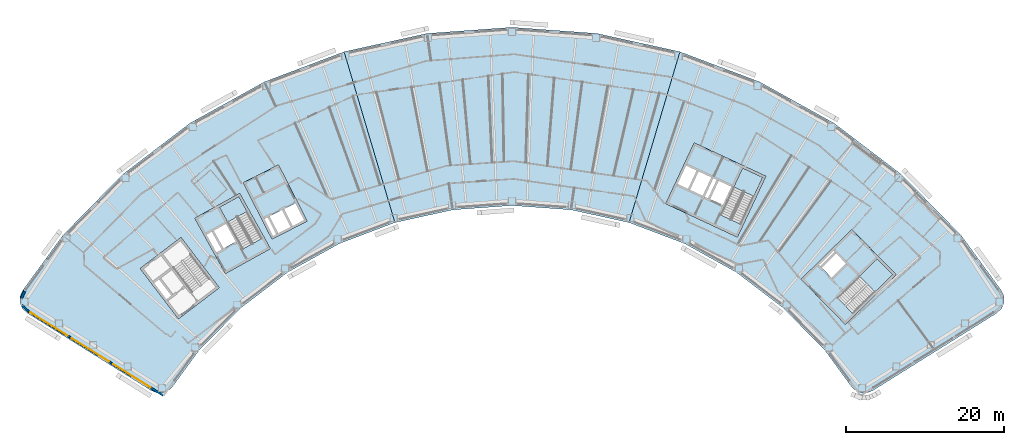
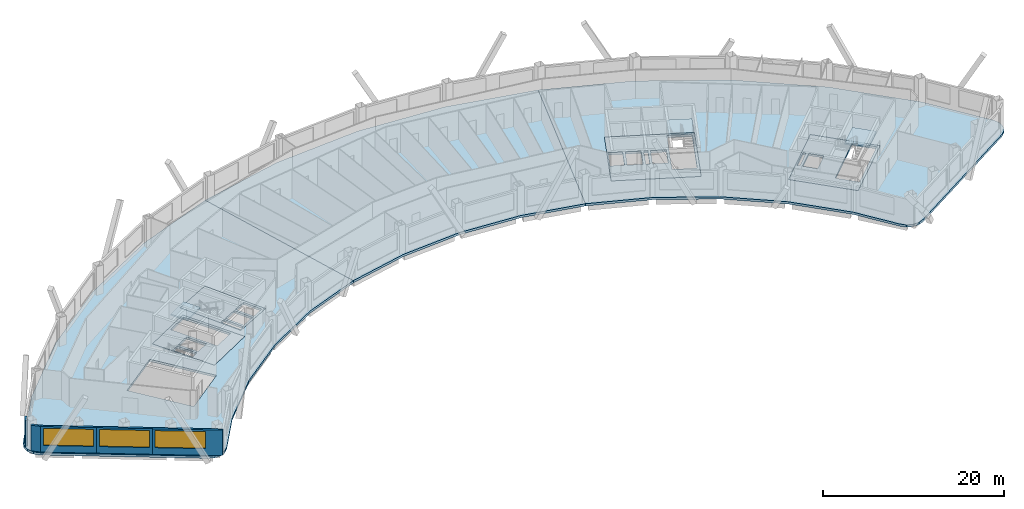
# One storey, part 4 of 15: 10 slabs, 5 walls, 3 windows, 3 openings, 3 elements without a shape of their own.
"""IFC4 building model written with IfcOpenShell, lengths in metres."""

import ifcopenshell
import ifcopenshell.guid

model = None  # the IFC model being written
_history = None  # IfcOwnerHistory: only IFC2X3 demands one
_inside = {}  # id of a spatial element -> (the spatial element, [elements in it])
_under = {}  # id of a project, library or spatial element -> (it, [spatial elements below it])
_declared = {}  # id of a project -> (the project, [libraries it declares])
_typed = {}  # id of a type object -> (the type object, [elements of that type])
_made_of = {}  # id of a material, layer set ... -> (it, [elements and type objects made of it])


def new_model(schema):
    """Start an empty IFC model of exactly this schema.

    Asked for "IFC4X3", IfcOpenShell would pick the latest addendum, in which some entities
    have other attributes; the version numbers below select the first issue.
    IFC2X3 requires an IfcOwnerHistory on every rooted entity: one is made here for all.
    """
    global model, _history
    if schema == "IFC4X3":
        model = ifcopenshell.file(schema_version=(4, 3, 0, 0))
    else:
        model = ifcopenshell.file(schema=schema)
    _inside.clear()
    _under.clear()
    _declared.clear()
    _typed.clear()
    _made_of.clear()
    _history = None
    if model.schema == "IFC2X3":
        org = make("IfcOrganization", Name="unknown")
        user = make(
            "IfcPersonAndOrganization",
            ThePerson=make("IfcPerson", FamilyName="unknown"),
            TheOrganization=org,
        )
        app = make(
            "IfcApplication",
            ApplicationDeveloper=org,
            Version="unknown",
            ApplicationFullName="unknown",
            ApplicationIdentifier="unknown",
        )
        _history = make(
            "IfcOwnerHistory",
            OwningUser=user,
            OwningApplication=app,
            ChangeAction="ADDED",
            CreationDate=0,
        )
    return model


def make(cls, **values):
    """One entity of the class cls with the attributes given. An attribute that is None is left unset."""
    return model.create_entity(
        cls, **{name: value for name, value in values.items() if value is not None}
    )


def rooted(cls, **values):
    """An entity with a GlobalId (a new one), such as an element, a storey or a relation."""
    return make(cls, GlobalId=ifcopenshell.guid.new(), OwnerHistory=_history, **values)


def si_unit(unit_type, name, prefix=None):
    """IfcSIUnit, for example si_unit("LENGTHUNIT", "METRE", prefix="MILLI")."""
    return make("IfcSIUnit", UnitType=unit_type, Prefix=prefix, Name=name)


def assignment(units):
    """IfcUnitAssignment: the units of a project."""
    return None if units is None else make("IfcUnitAssignment", Units=units)


def point(xyz):
    """IfcCartesianPoint."""
    return None if xyz is None else make("IfcCartesianPoint", Coordinates=xyz)


def direction(xyz):
    """IfcDirection."""
    return None if xyz is None else make("IfcDirection", DirectionRatios=xyz)


def frame(location, z_axis=None, x_axis=None):
    """IfcAxis2Placement3D, a coordinate frame: its origin and axes. An axis left out is left unset."""
    return make(
        "IfcAxis2Placement3D",
        Location=point(location),
        Axis=direction(z_axis),
        RefDirection=direction(x_axis),
    )


def frame_2d(location, x_axis=None):
    """IfcAxis2Placement2D, a coordinate frame in the plane: its origin and x axis."""
    return make(
        "IfcAxis2Placement2D", Location=point(location), RefDirection=direction(x_axis)
    )


def origin():
    """The frame at (0, 0, 0) with its axes left unset."""
    return frame((0.0, 0.0, 0.0))


def place(relative_to, where):
    """IfcLocalPlacement: puts the frame where relative to a parent placement (None: the world)."""
    return make(
        "IfcLocalPlacement", PlacementRelTo=relative_to, RelativePlacement=where
    )


def context(
    kind, dimensions, precision=None, world=None, true_north=None, identifier=None
):
    """IfcGeometricRepresentationContext, for example the 3D "Model" context."""
    return make(
        "IfcGeometricRepresentationContext",
        ContextIdentifier=identifier,
        ContextType=kind,
        CoordinateSpaceDimension=dimensions,
        Precision=precision,
        WorldCoordinateSystem=world,
        TrueNorth=true_north,
    )


def subcontext(parent, identifier, kind, view, scale=None):
    """IfcGeometricRepresentationSubContext, for example "Body" below "Model"."""
    return make(
        "IfcGeometricRepresentationSubContext",
        ContextIdentifier=identifier,
        ContextType=kind,
        ParentContext=parent,
        TargetScale=scale,
        TargetView=view,
    )


def project(units=None, contexts=None):
    """IfcProject with its units and contexts."""
    return rooted(
        "IfcProject",
        Name="project",
        RepresentationContexts=contexts,
        UnitsInContext=assignment(units),
    )


def spatial(cls, under=None, at=None, **own):
    """A site, building, storey or space (cls), placed at a placement, below another one or the project."""
    s = rooted(cls, ObjectPlacement=at, **own)
    if under is not None:
        _under.setdefault(under.id(), (under, []))[1].append(s)
    return s


def polyline(points):
    """IfcPolyline through the points."""
    return make("IfcPolyline", Points=[point(p) for p in points])


def profile(cls, at=None, kind="AREA", **sizes):
    """A parametric profile (cls). Its sizes go by their IFC names, for example OverallWidth=200.0."""
    return make(cls, ProfileType=kind, Position=at, **sizes)


def rectangle(**sizes):
    """IfcRectangleProfileDef."""
    return profile("IfcRectangleProfileDef", **sizes)


def outline(outer, holes=None, kind="AREA"):
    """IfcArbitraryClosedProfileDef: a profile drawn as a closed curve; with holes, ...WithVoids."""
    if holes is None:
        return make("IfcArbitraryClosedProfileDef", ProfileType=kind, OuterCurve=outer)
    return make(
        "IfcArbitraryProfileDefWithVoids",
        ProfileType=kind,
        OuterCurve=outer,
        InnerCurves=holes,
    )


def extrude(swept, where, along, depth):
    """IfcExtrudedAreaSolid: the profile swept, set in the frame where, extruded along a direction by depth."""
    return make(
        "IfcExtrudedAreaSolid",
        SweptArea=swept,
        Position=where,
        ExtrudedDirection=direction(along),
        Depth=depth,
    )


def shape(context_of_items, identifier, shape_type, items):
    """IfcShapeRepresentation: the items that make up one representation, for example the "Body"."""
    return make(
        "IfcShapeRepresentation",
        ContextOfItems=context_of_items,
        RepresentationIdentifier=identifier,
        RepresentationType=shape_type,
        Items=items,
    )


def material(Name=None, Category=None):
    """IfcMaterial."""
    return make("IfcMaterial", Name=Name, Category=Category)


def layer(
    of_material, thickness, ventilated=None, Name=None, Category=None, Priority=None
):
    """IfcMaterialLayer: one layer of a wall or slab, of a material (None: an air gap)."""
    return make(
        "IfcMaterialLayer",
        Material=of_material,
        LayerThickness=thickness,
        IsVentilated=ventilated,
        Name=Name,
        Category=Category,
        Priority=Priority,
    )


def layer_set(layers, Name=None):
    """IfcMaterialLayerSet."""
    return make("IfcMaterialLayerSet", MaterialLayers=layers, LayerSetName=Name)


def made_of(thing, what):
    """Note that an element or type object is made of a material, layer set ...; save() writes the relation."""
    if what is not None:
        _made_of.setdefault(what.id(), (what, []))[1].append(thing)
    return thing


def type_object(cls, material=None, **own):
    """A type object (cls), such as IfcWallType, which elements share."""
    return made_of(rooted(cls, **own), material)


def element(
    cls,
    number,
    at=None,
    inside=None,
    cuts=None,
    type_object=None,
    material=None,
    context=None,
    identifier="Body",
    shape_type=None,
    held_by="IfcProductDefinitionShape",
    body=None,
    shapes=None,
    **own,
):
    """One element of the class cls, such as IfcWall. Its Tag is "e" and its number.

    at: its placement. inside: the storey or other place that contains it. cuts: it is an
    opening in that element (IfcRelVoidsElement). A single representation is given by context,
    identifier, shape_type and body (its items); several are given by shapes. held_by: the class
    of the entity that holds the representations. save() writes the other relations.
    """
    e = rooted(cls, Tag="e%d" % number, ObjectPlacement=at, **own)
    if body is not None:
        shapes = [shape(context, identifier, shape_type, body)]
    if shapes is not None:
        e.Representation = make(held_by, Representations=shapes)
    if inside is not None:
        _inside.setdefault(inside.id(), (inside, []))[1].append(e)
    if cuts is not None:
        rooted(
            "IfcRelVoidsElement", RelatingBuildingElement=cuts, RelatedOpeningElement=e
        )
    if type_object is not None:
        _typed.setdefault(type_object.id(), (type_object, []))[1].append(e)
    return made_of(e, material)


def fill(opening, filler):
    """IfcRelFillsElement: the door or window that sits in an opening."""
    return rooted(
        "IfcRelFillsElement",
        RelatingOpeningElement=opening,
        RelatedBuildingElement=filler,
    )


def aggregate(whole, parts):
    """IfcRelAggregates: a whole, such as a stair, and the parts it consists of."""
    return rooted("IfcRelAggregates", RelatingObject=whole, RelatedObjects=parts)


def save(model, path):
    """Write the relations noted so far, then the file.

    IfcRelAggregates (storeys below a building ...), IfcRelContainedInSpatialStructure (elements
    in a storey), IfcRelDefinesByType, IfcRelAssociatesMaterial and IfcRelDeclares: one each for
    every whole, place, type object, material and project.
    """
    for whole, parts in _under.values():
        aggregate(whole, parts)
    for where, things in _inside.values():
        rooted(
            "IfcRelContainedInSpatialStructure",
            RelatedElements=things,
            RelatingStructure=where,
        )
    for kind, things in _typed.values():
        rooted("IfcRelDefinesByType", RelatedObjects=things, RelatingType=kind)
    for what, things in _made_of.values():
        rooted("IfcRelAssociatesMaterial", RelatedObjects=things, RelatingMaterial=what)
    for by, libraries in _declared.values():
        rooted("IfcRelDeclares", RelatingContext=by, RelatedDefinitions=libraries)
    model.write(path)


model = new_model("IFC4")

# Units and contexts
model_context = context("Model", 3, precision=1e-05, world=origin(), true_north=direction((0.0, 1.0)))
body_context = subcontext(model_context, "Body", "Model", "MODEL_VIEW")
ifc_project = project(units=[si_unit("LENGTHUNIT", "METRE"), si_unit("AREAUNIT", "SQUARE_METRE"), si_unit("VOLUMEUNIT", "CUBIC_METRE"), si_unit("PLANEANGLEUNIT", "RADIAN"), si_unit("MASSUNIT", "GRAM", prefix="KILO")], contexts=[model_context])

# Site, building, storey
site_placement = place(None, origin())
site = spatial("IfcSite", under=ifc_project, at=site_placement, CompositionType="ELEMENT")
building_placement = place(site_placement, origin())
building = spatial("IfcBuilding", under=site, at=building_placement, Name="Tuul Gate Civic Tower", CompositionType="ELEMENT")
storey_placement = place(building_placement, frame((0.0, 0.0, 226.300048828125)))
storey = spatial("IfcBuildingStorey", under=building, at=storey_placement, Name="Level 51", CompositionType="ELEMENT", Elevation=226.300048828125)

# Slabs
ifc_material_1 = material(Name="Concrete C40/50", Category="concrete")
ifc_layer_1 = layer(ifc_material_1, 0.300048828125)
ifc_layer_set_1 = layer_set([ifc_layer_1], Name="Concrete C40/50")
slab_type_1 = type_object("IfcSlabType", Name="Core floor slab 300", PredefinedType="FLOOR", material=ifc_layer_set_1)
slab_1_placement = place(storey_placement, frame((0.0, 0.0, -0.300048828125)))
element("IfcSlab", 1, at=slab_1_placement, inside=storey, type_object=slab_type_1, Name="FLOOR SLAB", PredefinedType="FLOOR", context=body_context, shape_type="SweptSolid", body=[
    extrude(outline(polyline([(-24.638916015625, -8.846923828125), (-28.51708984375, -1.849853515625), (-34.2021484375, -5.0009765625), (-30.32421875, -11.998046875), (-24.638916015625, -8.846923828125)]), holes=[polyline([(-29.0185546875, -7.958740234375), (-30.254638671875, -5.728515625), (-31.785400390625, -6.576904296875), (-30.54931640625, -8.80712890625), (-29.0185546875, -7.958740234375)]), polyline([(-30.8115234375, -8.95263671875), (-32.047607421875, -6.72216796875), (-32.8349609375, -7.158447265625), (-31.5986328125, -9.388916015625), (-30.8115234375, -8.95263671875)]), polyline([(-25.702392578125, -7.548828125), (-28.14990234375, -8.905517578125), (-31.08203125, -3.615234375), (-28.63427734375, -2.2587890625), (-25.702392578125, -7.548828125)])]), origin(), (0.0, 0.0, 1.0), 0.300048828125),
])
slab_2_placement = place(storey_placement, frame((0.0, 0.0, -0.300048828125)))
element("IfcSlab", 2, at=slab_2_placement, inside=storey, type_object=slab_type_1, Name="FLOOR SLAB", PredefinedType="FLOOR", context=body_context, shape_type="SweptSolid", body=[
    extrude(outline(polyline([(48.117919921875, -18.43310546875), (54.545166015625, -12.1328125), (48.945068359375, -6.419921875), (42.517822265625, -12.719970703125), (48.117919921875, -18.43310546875)]), holes=[polyline([(46.373779296875, -12.510986328125), (48.19482421875, -10.725830078125), (46.969970703125, -9.47607421875), (45.14892578125, -11.26123046875), (46.373779296875, -12.510986328125)]), polyline([(44.93896484375, -11.046875), (46.760009765625, -9.261962890625), (46.514892578125, -9.011962890625), (44.69384765625, -10.797119140625), (44.93896484375, -11.046875)]), polyline([(49.086181640625, -17.062744140625), (47.12744140625, -15.064208984375), (52.160888671875, -10.130126953125), (54.11962890625, -12.128662109375), (49.086181640625, -17.062744140625)])]), origin(), (0.0, 0.0, 1.0), 0.300048828125),
])
slab_3_placement = place(storey_placement, frame((0.0, 0.0, -0.300048828125)))
element("IfcSlab", 3, at=slab_3_placement, inside=storey, type_object=slab_type_1, Name="FLOOR SLAB", PredefinedType="FLOOR", context=body_context, shape_type="SweptSolid", body=[
    extrude(outline(polyline([(34.465087890625, -7.385986328125), (38.056884765625, 0.31787109375), (28.993896484375, 4.543701171875), (25.40185546875, -3.159912109375), (34.465087890625, -7.385986328125)]), holes=[polyline([(32.60888671875, -3.32080078125), (33.6865234375, -1.009765625), (32.1005859375, -0.27001953125), (31.02294921875, -2.581298828125), (32.60888671875, -3.32080078125)]), polyline([(30.0712890625, -2.137451171875), (31.14892578125, 0.173583984375), (29.562744140625, 0.9130859375), (28.4853515625, -1.39794921875), (30.0712890625, -2.137451171875)]), polyline([(30.751220703125, -2.454345703125), (31.82861328125, -0.143310546875), (31.4208984375, 0.046875), (30.34326171875, -2.264404296875), (30.751220703125, -2.454345703125)]), polyline([(28.21337890625, -1.27099609375), (29.291015625, 1.0400390625), (27.8408203125, 1.71630859375), (26.76318359375, -0.594970703125), (28.21337890625, -1.27099609375)]), polyline([(34.889892578125, -5.7626953125), (32.353759765625, -4.580078125), (35.120849609375, 1.354736328125), (37.6572265625, 0.17236328125), (34.889892578125, -5.7626953125)])]), origin(), (0.0, 0.0, 1.0), 0.300048828125),
])
ifc_material_2 = material(Name="Concrete C40/50", Category="concrete")
ifc_layer_2 = layer(ifc_material_2, 0.300048828125)
ifc_layer_set_2 = layer_set([ifc_layer_2], Name="Concrete C40/50")
slab_type_2 = type_object("IfcSlabType", Name="Core floor slab 300 non-bearing", PredefinedType="FLOOR", material=ifc_layer_set_2)
slab_4_placement = place(storey_placement, frame((0.0, 0.0, -0.300048828125)))
element("IfcSlab", 4, at=slab_4_placement, inside=storey, type_object=slab_type_2, Name="FLOOR SLAB", PredefinedType="FLOOR", context=body_context, shape_type="SweptSolid", body=[
    extrude(outline(polyline([(-19.98095703125, -5.365966796875), (-23.613037109375, 1.761962890625), (-28.068115234375, -0.508056640625), (-24.43603515625, -7.635986328125), (-19.98095703125, -5.365966796875)]), holes=[polyline([(-20.384521484375, -5.23486328125), (-21.47412109375, -3.096435546875), (-22.899658203125, -3.822998046875), (-21.81005859375, -5.961181640625), (-20.384521484375, -5.23486328125)]), polyline([(-22.077392578125, -6.097412109375), (-23.1669921875, -3.958984375), (-24.726318359375, -4.753662109375), (-23.63671875, -6.89208984375), (-22.077392578125, -6.097412109375)]), polyline([(-23.8359375, -7.161865234375), (-24.99365234375, -4.889892578125), (-25.5283203125, -5.162109375), (-24.37060546875, -7.434326171875), (-23.8359375, -7.161865234375)])]), origin(), (0.0, 0.0, 1.0), 0.300048828125),
])

# Stair, slab
ifc_material_3 = material(Name="Concrete C40/50", Category="concrete")
stair_type = type_object("IfcStairType", Name="Exit stair", PredefinedType="HALF_TURN_STAIR", material=ifc_material_3)
stair_1_placement = place(storey_placement, origin())
stair_1 = element("IfcStair", 5, at=stair_1_placement, inside=storey, type_object=stair_type, Name="Level 51 ST-2", PredefinedType="HALF_TURN_STAIR")
ifc_material_4 = material(Name="Concrete C40/50", Category="concrete")
ifc_layer_3 = layer(ifc_material_4, 0.199951171875)
ifc_layer_set_3 = layer_set([ifc_layer_3], Name="Concrete C40/50")
slab_type_3 = type_object("IfcSlabType", Name="Exit stair landing", PredefinedType="LANDING", material=ifc_layer_set_3)
slab_5_placement = place(storey_placement, frame((0.0, 0.0, 1.89990234375)))
slab_5 = element("IfcSlab", 6, at=slab_5_placement, type_object=slab_type_3, Name="ST-2 landing 1", PredefinedType="LANDING", context=body_context, shape_type="SweptSolid", body=[
    extrude(outline(polyline([(-27.5908203125, -4.138427734375), (-30.041015625, -5.49658203125), (-31.084228515625, -3.61474609375), (-28.6337890625, -2.256591796875), (-27.5908203125, -4.138427734375)])), origin(), (0.0, 0.0, 1.0), 0.199951171875),
])
aggregate(stair_1, [slab_5])

stair_2_placement = place(storey_placement, origin())
stair_2 = element("IfcStair", 7, at=stair_2_placement, inside=storey, type_object=stair_type, Name="Level 51 ST-3", PredefinedType="HALF_TURN_STAIR")
slab_6_placement = place(storey_placement, frame((0.0, 0.0, 1.89990234375)))
slab_6 = element("IfcSlab", 8, at=slab_6_placement, type_object=slab_type_3, Name="ST-3 landing 1", PredefinedType="LANDING", context=body_context, shape_type="SweptSolid", body=[
    extrude(outline(polyline([(51.871337890625, -14.3349609375), (49.91015625, -12.334228515625), (52.160888671875, -10.1279296875), (54.1220703125, -12.128662109375), (51.871337890625, -14.3349609375)])), origin(), (0.0, 0.0, 1.0), 0.199951171875),
])
aggregate(stair_2, [slab_6])

stair_3_placement = place(storey_placement, origin())
stair_3 = element("IfcStair", 9, at=stair_3_placement, inside=storey, type_object=stair_type, Name="Level 51 ST-4", PredefinedType="HALF_TURN_STAIR")
slab_7_placement = place(storey_placement, frame((0.0, 0.0, 1.89990234375)))
slab_7 = element("IfcSlab", 10, at=slab_7_placement, type_object=slab_type_3, Name="ST-4 landing 1", PredefinedType="LANDING", context=body_context, shape_type="SweptSolid", body=[
    extrude(outline(polyline([(36.538818359375, -2.230224609375), (33.999755859375, -1.046142578125), (35.1201171875, 1.35693359375), (37.659423828125, 0.173095703125), (36.538818359375, -2.230224609375)])), origin(), (0.0, 0.0, 1.0), 0.199951171875),
])
aggregate(stair_3, [slab_7])

# Slabs
ifc_material_5 = material(Name="Concrete C35/45", Category="concrete")
ifc_layer_4 = layer(ifc_material_5, 0.300048828125)
ifc_layer_set_4 = layer_set([ifc_layer_4], Name="Concrete C35/45")
slab_type_4 = type_object("IfcSlabType", Name="STR-FLOOR-SLAB-300", PredefinedType="FLOOR", material=ifc_layer_set_4)
slab_8_placement = place(storey_placement, frame((0.0, 0.0, -0.300048828125)))
element("IfcSlab", 11, at=slab_8_placement, inside=storey, type_object=slab_type_4, Name="Level 51/slab/W", PredefinedType="FLOOR", context=body_context, shape_type="SweptSolid", body=[
    extrude(outline(polyline([(-15.89404296875, -8.2041015625), (-8.875, -5.549072265625), (-15.30908203125, 16.072998046875), (-25.376953125, 12.264892578125), (-34.7919921875, 7.0458984375), (-43.35595703125, 0.52587890625), (-50.89111328125, -7.160888671875), (-55.971923828125, -14.117919921875), (-56.30810546875, -14.861083984375), (-56.320068359375, -15.677001953125), (-56.006103515625, -16.428955078125), (-55.416015625, -16.992919921875), (-39.68603515625, -26.822998046875), (-38.991943359375, -27.093017578125), (-38.2470703125, -27.090087890625), (-37.554931640625, -26.81494140625), (-37.011962890625, -26.305908203125), (-33.681884765625, -21.748046875), (-28.428955078125, -16.388916015625), (-22.4580078125, -11.842041015625), (-15.89404296875, -8.2041015625)]), holes=[polyline([(-31.10009765625, -13.7890625), (-36.27197265625, -17.72705078125), (-41.117919921875, -11.362060546875), (-35.946044921875, -7.424072265625), (-31.10009765625, -13.7890625)]), polyline([(-24.638916015625, -8.846923828125), (-30.323974609375, -11.998046875), (-34.201904296875, -5.0009765625), (-28.51708984375, -1.85009765625), (-24.638916015625, -8.846923828125)]), polyline([(-24.43603515625, -7.635986328125), (-28.068115234375, -0.508056640625), (-23.613037109375, 1.761962890625), (-19.98095703125, -5.365966796875), (-24.43603515625, -7.635986328125)])]), origin(), (0.0, 0.0, 1.0), 0.300048828125),
])
slab_9_placement = place(storey_placement, frame((0.0, 0.0, -0.300048828125)))
element("IfcSlab", 12, at=slab_9_placement, inside=storey, type_object=slab_type_4, Name="Level 51/slab/M", PredefinedType="FLOOR", context=body_context, shape_type="SweptSolid", body=[
    extrude(outline(polyline([(13.425048828125, -3.93408203125), (20.75390625, -5.549072265625), (27.18798828125, 16.072998046875), (16.676025390625, 18.388916015625), (5.93994140625, 19.1669921875), (-4.7958984375, 18.388916015625), (-15.30810546875, 16.072998046875), (-15.30908203125, 16.072998046875), (-8.875, -5.549072265625), (-8.8740234375, -5.549072265625), (-1.544921875, -3.93408203125), (5.93994140625, -3.39208984375), (13.425048828125, -3.93408203125)])), origin(), (0.0, 0.0, 1.0), 0.300048828125),
])
slab_10_placement = place(storey_placement, frame((0.0, 0.0, -0.300048828125)))
element("IfcSlab", 13, at=slab_10_placement, inside=storey, type_object=slab_type_4, Name="Level 51/slab/E", PredefinedType="FLOOR", context=body_context, shape_type="SweptSolid", body=[
    extrude(outline(polyline([(50.8720703125, -27.093017578125), (51.56591796875, -26.822998046875), (67.2958984375, -16.992919921875), (67.885009765625, -16.428955078125), (68.199951171875, -15.677001953125), (68.18798828125, -14.861083984375), (67.85107421875, -14.117919921875), (62.77099609375, -7.160888671875), (55.235107421875, 0.52587890625), (46.6708984375, 7.0458984375), (37.256103515625, 12.264892578125), (27.18798828125, 16.072998046875), (20.75390625, -5.549072265625), (27.77294921875, -8.2041015625), (34.3369140625, -11.842041015625), (40.30810546875, -16.388916015625), (45.56201171875, -21.748046875), (48.89111328125, -26.305908203125), (49.43505859375, -26.81494140625), (50.126953125, -27.090087890625), (50.8720703125, -27.093017578125)]), holes=[polyline([(48.117919921875, -18.43310546875), (42.51806640625, -12.719970703125), (48.945068359375, -6.419921875), (54.544921875, -12.133056640625), (48.117919921875, -18.43310546875)]), polyline([(25.402099609375, -3.159912109375), (28.993896484375, 4.5439453125), (38.056884765625, 0.318115234375), (34.465087890625, -7.385986328125), (25.402099609375, -3.159912109375)])]), origin(), (0.0, 0.0, 1.0), 0.300048828125),
])

# Walls
ifc_material_6 = material(Name="Precast concrete C40/50", Category="concrete")
ifc_layer_5 = layer(ifc_material_6, 0.25)
ifc_layer_set_5 = layer_set([ifc_layer_5], Name="Precast concrete C40/50")
wall_type = type_object("IfcWallType", Name="External wall", PredefinedType="STANDARD", material=ifc_layer_set_5)
wall_1_placement = place(storey_placement, frame((-55.737060546875, -14.257568359375, 0.0), z_axis=(0.0, 0.0, 1.0), x_axis=(-0.411921142617, -0.911219497303, 0.0)))
element("IfcWall", 14, at=wall_1_placement, inside=storey, type_object=wall_type, Name="External wall", PredefinedType="STANDARD", context=body_context, shape_type="SweptSolid", body=[
    extrude(rectangle(XDim=0.938720703125, YDim=0.25, at=frame_2d((0.46923828125, 0.0))), origin(), (0.0, 0.0, 1.0), 3.449951171875),
])
wall_2_placement = place(storey_placement, frame((-56.046875, -16.012939453125, 0.0), z_axis=(0.0, 0.0, 1.0), x_axis=(0.722218585129, -0.691664886555, 0.0)))
element("IfcWall", 15, at=wall_2_placement, inside=storey, type_object=wall_type, Name="External wall", PredefinedType="STANDARD", context=body_context, shape_type="SweptSolid", body=[
    extrude(rectangle(XDim=1.102783203125, YDim=0.25, at=frame_2d((0.55126953125, 0.0))), origin(), (0.0, 0.0, 1.0), 3.449951171875),
])

# Wall, opening, window
wall_3_placement = place(storey_placement, frame((-55.270751953125, -16.760009765625, 0.0), z_axis=(0.0, 0.0, 1.0), x_axis=(0.848053758074, -0.529910203164, 0.0)))
wall_3 = element("IfcWall", 16, at=wall_3_placement, inside=storey, type_object=wall_type, Name="External wall", PredefinedType="STANDARD", context=body_context, shape_type="SweptSolid", body=[
    extrude(rectangle(XDim=6.182861328125, YDim=0.25, at=frame_2d((3.09130859375, 0.0))), origin(), (0.0, 0.0, 1.0), 3.449951171875),
])
opening_1_placement = place(wall_3_placement, frame((0.31640625, 0.0, 0.89990234375)))
opening_1 = element("IfcOpeningElement", 17, at=opening_1_placement, cuts=wall_3, Name="Opening W24", PredefinedType="OPENING", context=body_context, shape_type="SweptSolid", body=[
    extrude(rectangle(XDim=5.550048828125, YDim=2.300048828125, at=frame_2d((2.77490234375, 1.14990234375))), frame((0.0, 0.135009765625, 0.0), z_axis=(0.0, -1.0, 0.0), x_axis=(1.0, 0.0, 0.0)), (0.0, 0.0, 1.0), 0.27001953125),
])
ifc_material_7 = material(Name="Glass", Category="glass")
window_type = type_object("IfcWindowType", Name="Window W24 5550 x 2300", PartitioningType="SINGLE_PANEL", PredefinedType="WINDOW", material=ifc_material_7)
window_1_placement = place(opening_1_placement, origin())
window_1 = element("IfcWindow", 18, at=window_1_placement, inside=storey, type_object=window_type, Name="Window", OverallHeight=2.300048828125, OverallWidth=5.550048828125, PartitioningType="SINGLE_PANEL", PredefinedType="WINDOW", context=body_context, shape_type="SweptSolid", body=[
    extrude(rectangle(XDim=5.550048828125, YDim=2.300048828125, at=frame_2d((2.77490234375, 1.14990234375))), frame((0.0, 0.030029296875, 0.0), z_axis=(0.0, -1.0, 0.0), x_axis=(1.0, 0.0, 0.0)), (0.0, 0.0, 1.0), 0.06005859375),
])
fill(opening_1, window_1)

wall_4_placement = place(storey_placement, frame((-50.02734375, -20.036376953125, 0.0), z_axis=(0.0, 0.0, 1.0), x_axis=(0.848042669488, -0.529927948619, 0.0)))
wall_4 = element("IfcWall", 19, at=wall_4_placement, inside=storey, type_object=wall_type, Name="External wall", PredefinedType="STANDARD", context=body_context, shape_type="SweptSolid", body=[
    extrude(rectangle(XDim=6.1826171875, YDim=0.25, at=frame_2d((3.09130859375, 0.0))), origin(), (0.0, 0.0, 1.0), 3.449951171875),
])
opening_2_placement = place(wall_4_placement, frame((0.31640625, 0.0, 0.89990234375)))
opening_2 = element("IfcOpeningElement", 20, at=opening_2_placement, cuts=wall_4, Name="Opening W24", PredefinedType="OPENING", context=body_context, shape_type="SweptSolid", body=[
    extrude(rectangle(XDim=5.550048828125, YDim=2.300048828125, at=frame_2d((2.77490234375, 1.14990234375))), frame((0.0, 0.135009765625, 0.0), z_axis=(0.0, -1.0, 0.0), x_axis=(1.0, 0.0, 0.0)), (0.0, 0.0, 1.0), 0.27001953125),
])
window_2_placement = place(opening_2_placement, origin())
window_2 = element("IfcWindow", 21, at=window_2_placement, inside=storey, type_object=window_type, Name="Window", OverallHeight=2.300048828125, OverallWidth=5.550048828125, PartitioningType="SINGLE_PANEL", PredefinedType="WINDOW", context=body_context, shape_type="SweptSolid", body=[
    extrude(rectangle(XDim=5.550048828125, YDim=2.300048828125, at=frame_2d((2.77490234375, 1.14990234375))), frame((0.0, 0.030029296875, 0.0), z_axis=(0.0, -1.0, 0.0), x_axis=(1.0, 0.0, 0.0)), (0.0, 0.0, 1.0), 0.06005859375),
])
fill(opening_2, window_2)

wall_5_placement = place(storey_placement, frame((-44.7841796875, -23.312744140625, 0.0), z_axis=(0.0, 0.0, 1.0), x_axis=(0.848066986554, -0.529889032078, 0.0)))
wall_5 = element("IfcWall", 22, at=wall_5_placement, inside=storey, type_object=wall_type, Name="External wall", PredefinedType="STANDARD", context=body_context, shape_type="SweptSolid", body=[
    extrude(rectangle(XDim=7.787353515625, YDim=0.25, at=frame_2d((3.8935546875, 0.0))), origin(), (0.0, 0.0, 1.0), 3.449951171875),
])
opening_3_placement = place(wall_5_placement, frame((0.31640625, 0.0, 0.89990234375)))
opening_3 = element("IfcOpeningElement", 23, at=opening_3_placement, cuts=wall_5, Name="Opening W24", PredefinedType="OPENING", context=body_context, shape_type="SweptSolid", body=[
    extrude(rectangle(XDim=5.550048828125, YDim=2.300048828125, at=frame_2d((2.77490234375, 1.14990234375))), frame((0.0, 0.135009765625, 0.0), z_axis=(0.0, -1.0, 0.0), x_axis=(1.0, 0.0, 0.0)), (0.0, 0.0, 1.0), 0.27001953125),
])
window_3_placement = place(opening_3_placement, origin())
window_3 = element("IfcWindow", 24, at=window_3_placement, inside=storey, type_object=window_type, Name="Window", OverallHeight=2.300048828125, OverallWidth=5.550048828125, PartitioningType="SINGLE_PANEL", PredefinedType="WINDOW", context=body_context, shape_type="SweptSolid", body=[
    extrude(rectangle(XDim=5.550048828125, YDim=2.300048828125, at=frame_2d((2.77490234375, 1.14990234375))), frame((0.0, 0.030029296875, 0.0), z_axis=(0.0, -1.0, 0.0), x_axis=(1.0, 0.0, 0.0)), (0.0, 0.0, 1.0), 0.06005859375),
])
fill(opening_3, window_3)

save(model, "model.ifc")
